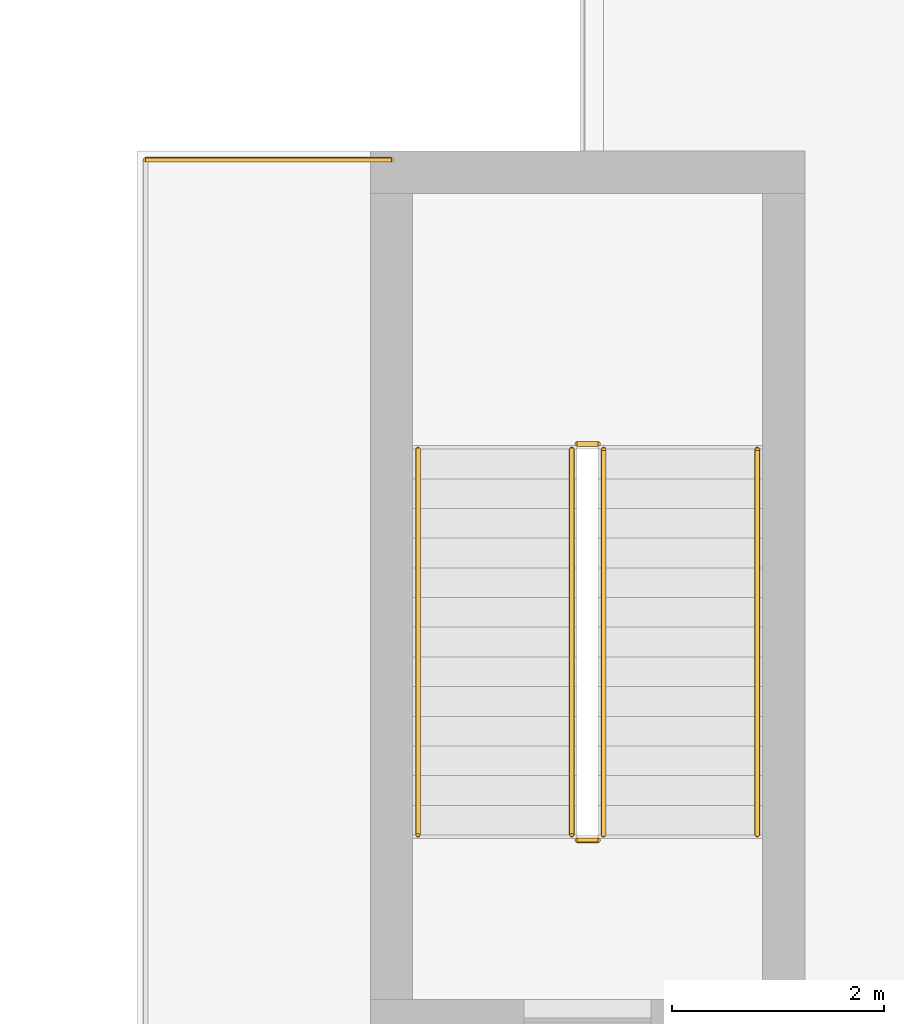
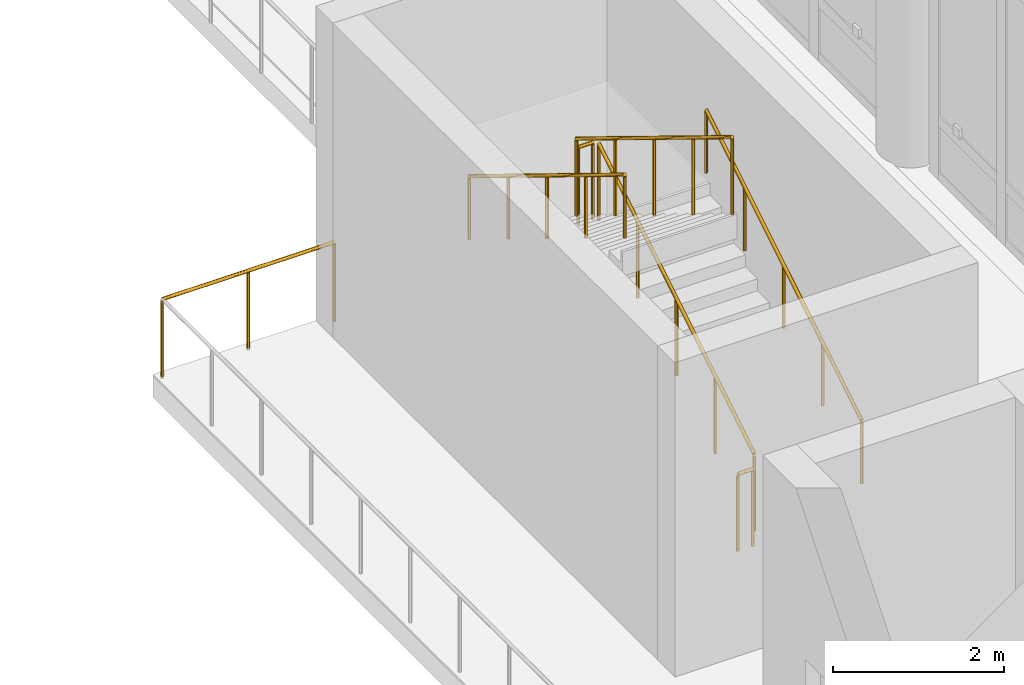
# One storey, part 51 of 57: 7 railings.
"""IFC4 building model written with IfcOpenShell, lengths in metres."""

import ifcopenshell
import ifcopenshell.guid

model = None  # the IFC model being written
_history = None  # IfcOwnerHistory: only IFC2X3 demands one
_inside = {}  # id of a spatial element -> (the spatial element, [elements in it])
_under = {}  # id of a project, library or spatial element -> (it, [spatial elements below it])
_declared = {}  # id of a project -> (the project, [libraries it declares])
_typed = {}  # id of a type object -> (the type object, [elements of that type])
_made_of = {}  # id of a material, layer set ... -> (it, [elements and type objects made of it])


def new_model(schema):
    """Start an empty IFC model of exactly this schema.

    Asked for "IFC4X3", IfcOpenShell would pick the latest addendum, in which some entities
    have other attributes; the version numbers below select the first issue.
    IFC2X3 requires an IfcOwnerHistory on every rooted entity: one is made here for all.
    """
    global model, _history
    if schema == "IFC4X3":
        model = ifcopenshell.file(schema_version=(4, 3, 0, 0))
    else:
        model = ifcopenshell.file(schema=schema)
    _inside.clear()
    _under.clear()
    _declared.clear()
    _typed.clear()
    _made_of.clear()
    _history = None
    if model.schema == "IFC2X3":
        org = make("IfcOrganization", Name="unknown")
        user = make(
            "IfcPersonAndOrganization",
            ThePerson=make("IfcPerson", FamilyName="unknown"),
            TheOrganization=org,
        )
        app = make(
            "IfcApplication",
            ApplicationDeveloper=org,
            Version="unknown",
            ApplicationFullName="unknown",
            ApplicationIdentifier="unknown",
        )
        _history = make(
            "IfcOwnerHistory",
            OwningUser=user,
            OwningApplication=app,
            ChangeAction="ADDED",
            CreationDate=0,
        )
    return model


def make(cls, **values):
    """One entity of the class cls with the attributes given. An attribute that is None is left unset."""
    return model.create_entity(
        cls, **{name: value for name, value in values.items() if value is not None}
    )


def rooted(cls, **values):
    """An entity with a GlobalId (a new one), such as an element, a storey or a relation."""
    return make(cls, GlobalId=ifcopenshell.guid.new(), OwnerHistory=_history, **values)


def si_unit(unit_type, name, prefix=None):
    """IfcSIUnit, for example si_unit("LENGTHUNIT", "METRE", prefix="MILLI")."""
    return make("IfcSIUnit", UnitType=unit_type, Prefix=prefix, Name=name)


def assignment(units):
    """IfcUnitAssignment: the units of a project."""
    return None if units is None else make("IfcUnitAssignment", Units=units)


def point(xyz):
    """IfcCartesianPoint."""
    return None if xyz is None else make("IfcCartesianPoint", Coordinates=xyz)


def direction(xyz):
    """IfcDirection."""
    return None if xyz is None else make("IfcDirection", DirectionRatios=xyz)


def frame(location, z_axis=None, x_axis=None):
    """IfcAxis2Placement3D, a coordinate frame: its origin and axes. An axis left out is left unset."""
    return make(
        "IfcAxis2Placement3D",
        Location=point(location),
        Axis=direction(z_axis),
        RefDirection=direction(x_axis),
    )


def frame_2d(location, x_axis=None):
    """IfcAxis2Placement2D, a coordinate frame in the plane: its origin and x axis."""
    return make(
        "IfcAxis2Placement2D", Location=point(location), RefDirection=direction(x_axis)
    )


def origin():
    """The frame at (0, 0, 0) with its axes left unset."""
    return frame((0.0, 0.0, 0.0))


def origin_2d():
    """The frame at (0, 0) in the plane with its x axis left unset."""
    return frame_2d((0.0, 0.0))


def place(relative_to, where):
    """IfcLocalPlacement: puts the frame where relative to a parent placement (None: the world)."""
    return make(
        "IfcLocalPlacement", PlacementRelTo=relative_to, RelativePlacement=where
    )


def context(
    kind, dimensions, precision=None, world=None, true_north=None, identifier=None
):
    """IfcGeometricRepresentationContext, for example the 3D "Model" context."""
    return make(
        "IfcGeometricRepresentationContext",
        ContextIdentifier=identifier,
        ContextType=kind,
        CoordinateSpaceDimension=dimensions,
        Precision=precision,
        WorldCoordinateSystem=world,
        TrueNorth=true_north,
    )


def subcontext(parent, identifier, kind, view, scale=None):
    """IfcGeometricRepresentationSubContext, for example "Body" below "Model"."""
    return make(
        "IfcGeometricRepresentationSubContext",
        ContextIdentifier=identifier,
        ContextType=kind,
        ParentContext=parent,
        TargetScale=scale,
        TargetView=view,
    )


def project(units=None, contexts=None):
    """IfcProject with its units and contexts."""
    return rooted(
        "IfcProject",
        Name="project",
        RepresentationContexts=contexts,
        UnitsInContext=assignment(units),
    )


def spatial(cls, under=None, at=None, **own):
    """A site, building, storey or space (cls), placed at a placement, below another one or the project."""
    s = rooted(cls, ObjectPlacement=at, **own)
    if under is not None:
        _under.setdefault(under.id(), (under, []))[1].append(s)
    return s


def profile(cls, at=None, kind="AREA", **sizes):
    """A parametric profile (cls). Its sizes go by their IFC names, for example OverallWidth=200.0."""
    return make(cls, ProfileType=kind, Position=at, **sizes)


def circle(**sizes):
    """IfcCircleProfileDef."""
    return profile("IfcCircleProfileDef", **sizes)


def extrude(swept, where, along, depth):
    """IfcExtrudedAreaSolid: the profile swept, set in the frame where, extruded along a direction by depth."""
    return make(
        "IfcExtrudedAreaSolid",
        SweptArea=swept,
        Position=where,
        ExtrudedDirection=direction(along),
        Depth=depth,
    )


def shape(context_of_items, identifier, shape_type, items):
    """IfcShapeRepresentation: the items that make up one representation, for example the "Body"."""
    return make(
        "IfcShapeRepresentation",
        ContextOfItems=context_of_items,
        RepresentationIdentifier=identifier,
        RepresentationType=shape_type,
        Items=items,
    )


def material(Name=None, Category=None):
    """IfcMaterial."""
    return make("IfcMaterial", Name=Name, Category=Category)


def made_of(thing, what):
    """Note that an element or type object is made of a material, layer set ...; save() writes the relation."""
    if what is not None:
        _made_of.setdefault(what.id(), (what, []))[1].append(thing)
    return thing


def type_object(cls, material=None, **own):
    """A type object (cls), such as IfcWallType, which elements share."""
    return made_of(rooted(cls, **own), material)


def element(
    cls,
    number,
    at=None,
    inside=None,
    cuts=None,
    type_object=None,
    material=None,
    context=None,
    identifier="Body",
    shape_type=None,
    held_by="IfcProductDefinitionShape",
    body=None,
    shapes=None,
    **own,
):
    """One element of the class cls, such as IfcWall. Its Tag is "e" and its number.

    at: its placement. inside: the storey or other place that contains it. cuts: it is an
    opening in that element (IfcRelVoidsElement). A single representation is given by context,
    identifier, shape_type and body (its items); several are given by shapes. held_by: the class
    of the entity that holds the representations. save() writes the other relations.
    """
    e = rooted(cls, Tag="e%d" % number, ObjectPlacement=at, **own)
    if body is not None:
        shapes = [shape(context, identifier, shape_type, body)]
    if shapes is not None:
        e.Representation = make(held_by, Representations=shapes)
    if inside is not None:
        _inside.setdefault(inside.id(), (inside, []))[1].append(e)
    if cuts is not None:
        rooted(
            "IfcRelVoidsElement", RelatingBuildingElement=cuts, RelatedOpeningElement=e
        )
    if type_object is not None:
        _typed.setdefault(type_object.id(), (type_object, []))[1].append(e)
    return made_of(e, material)


def aggregate(whole, parts):
    """IfcRelAggregates: a whole, such as a stair, and the parts it consists of."""
    return rooted("IfcRelAggregates", RelatingObject=whole, RelatedObjects=parts)


def save(model, path):
    """Write the relations noted so far, then the file.

    IfcRelAggregates (storeys below a building ...), IfcRelContainedInSpatialStructure (elements
    in a storey), IfcRelDefinesByType, IfcRelAssociatesMaterial and IfcRelDeclares: one each for
    every whole, place, type object, material and project.
    """
    for whole, parts in _under.values():
        aggregate(whole, parts)
    for where, things in _inside.values():
        rooted(
            "IfcRelContainedInSpatialStructure",
            RelatedElements=things,
            RelatingStructure=where,
        )
    for kind, things in _typed.values():
        rooted("IfcRelDefinesByType", RelatedObjects=things, RelatingType=kind)
    for what, things in _made_of.values():
        rooted("IfcRelAssociatesMaterial", RelatedObjects=things, RelatingMaterial=what)
    for by, libraries in _declared.values():
        rooted("IfcRelDeclares", RelatingContext=by, RelatedDefinitions=libraries)
    model.write(path)


model = new_model("IFC4")

# Units and contexts
model_context = context("Model", 3, precision=1e-05, world=origin(), true_north=direction((0.0, 1.0)))
body_context = subcontext(model_context, "Body", "Model", "MODEL_VIEW")
ifc_project = project(units=[si_unit("LENGTHUNIT", "METRE"), si_unit("AREAUNIT", "SQUARE_METRE"), si_unit("VOLUMEUNIT", "CUBIC_METRE"), si_unit("PLANEANGLEUNIT", "RADIAN"), si_unit("MASSUNIT", "GRAM", prefix="KILO")], contexts=[model_context])

# Site, building, storey
site_placement = place(None, origin())
site = spatial("IfcSite", under=ifc_project, at=site_placement, CompositionType="ELEMENT")
building_placement = place(site_placement, origin())
building = spatial("IfcBuilding", under=site, at=building_placement, Name="Qandaris Square Conservatory and Botanical Centre", CompositionType="ELEMENT")
storey_placement = place(building_placement, frame((0.0, 0.0, 5.39990234375)))
storey = spatial("IfcBuildingStorey", under=building, at=storey_placement, Name="L01", CompositionType="ELEMENT", Elevation=5.39990234375)

# Railings
ifc_material_1 = material(Name="Tempered Low-E Glass", Category="glass")
railing_type_1 = type_object("IfcRailingType", Name="Conservatory Skywalk Glazed Balustrade 1150mm", PredefinedType="BALUSTRADE", material=ifc_material_1)
railing_1_placement = place(storey_placement, frame((47.280029296875, 62.52001953125, 0.0)))
element("IfcRailing", 1, at=railing_1_placement, inside=storey, type_object=railing_type_1, Name="Conservatory Skywalk Apron Balustrade 3", PredefinedType="BALUSTRADE", context=body_context, shape_type="SweptSolid", body=[
    extrude(circle(Radius=0.02392578125, at=origin_2d()), frame((0.0, 0.0, 1.1259765625), z_axis=(1.0, 0.0, 0.0), x_axis=(0.0, 1.0, 0.0)), (0.0, 0.0, 1.0), 2.320068359375),
    extrude(circle(Radius=0.02099609375, at=origin_2d()), origin(), (0.0, 0.0, 1.0), 1.101806640625),
    extrude(circle(Radius=0.02099609375, at=origin_2d()), frame((1.16015625, 0.0, 0.0)), (0.0, 0.0, 1.0), 1.101806640625),
    extrude(circle(Radius=0.02099609375, at=origin_2d()), frame((2.320068359375, 0.0, 0.0)), (0.0, 0.0, 1.0), 1.101806640625),
])
ifc_material_2 = material(Name="Stainless Steel", Category="steel")
railing_type_2 = type_object("IfcRailingType", Name="Stair Tubular Handrail 920mm", PredefinedType="HANDRAIL", material=ifc_material_2)
railing_2_placement = place(storey_placement, frame((53.050048828125, 56.14990234375, 0.343017578125)))
element("IfcRailing", 2, at=railing_2_placement, inside=storey, type_object=railing_type_2, Name="L01 ST-5 stair handrail 1", PredefinedType="HANDRAIL", context=body_context, shape_type="SweptSolid", body=[
    extrude(circle(Radius=0.02392578125, at=origin_2d()), frame((0.0, 0.0, 0.89599609375), z_axis=(0.0, 0.852865859571, 0.52213008492), x_axis=(-1.0, 0.0, 0.0)), (0.0, 0.0, 1.0), 4.26806640625),
    extrude(circle(Radius=0.02099609375, at=origin_2d()), origin(), (0.0, 0.0, 1.0), 0.871826171875),
    extrude(circle(Radius=0.02099609375, at=origin_2d()), frame((0.0, 0.91015625, 0.55712890625)), (0.0, 0.0, 1.0), 0.871826171875),
    extrude(circle(Radius=0.02099609375, at=origin_2d()), frame((0.0, 1.820068359375, 1.1142578125)), (0.0, 0.0, 1.0), 0.871826171875),
    extrude(circle(Radius=0.02099609375, at=origin_2d()), frame((0.0, 2.72998046875, 1.67138671875)), (0.0, 0.0, 1.0), 0.871826171875),
    extrude(circle(Radius=0.02099609375, at=origin_2d()), frame((0.0, 3.64013671875, 2.228515625)), (0.0, 0.0, 1.0), 0.871826171875),
])
railing_3_placement = place(storey_placement, frame((49.85009765625, 59.7900390625, 2.742919921875)))
element("IfcRailing", 3, at=railing_3_placement, inside=storey, type_object=railing_type_2, Name="L01 ST-5 stair handrail 2", PredefinedType="HANDRAIL", context=body_context, shape_type="SweptSolid", body=[
    extrude(circle(Radius=0.02392578125, at=origin_2d()), frame((0.0, 0.0, 0.89599609375), z_axis=(0.0, -0.852865859571, 0.52213008492), x_axis=(1.0, 0.0, 0.0)), (0.0, 0.0, 1.0), 4.26806640625),
    extrude(circle(Radius=0.02099609375, at=origin_2d()), origin(), (0.0, 0.0, 1.0), 0.871826171875),
    extrude(circle(Radius=0.02099609375, at=origin_2d()), frame((0.0, -0.91015625, 0.55712890625)), (0.0, 0.0, 1.0), 0.871826171875),
    extrude(circle(Radius=0.02099609375, at=origin_2d()), frame((0.0, -1.820068359375, 1.1142578125)), (0.0, 0.0, 1.0), 0.871826171875),
    extrude(circle(Radius=0.02099609375, at=origin_2d()), frame((0.0, -2.72998046875, 1.67138671875)), (0.0, 0.0, 1.0), 0.871826171875),
    extrude(circle(Radius=0.02099609375, at=origin_2d()), frame((0.0, -3.64013671875, 2.228515625)), (0.0, 0.0, 1.0), 0.871826171875),
])
railing_type_3 = type_object("IfcRailingType", Name="Stairwell & Atrium Guardrail 1120mm", PredefinedType="GUARDRAIL", material=ifc_material_2)
railing_4_placement = place(storey_placement, frame((51.60009765625, 56.14990234375, 0.171630859375)))
element("IfcRailing", 4, at=railing_4_placement, inside=storey, type_object=railing_type_3, Name="L01 ST-5 stair guard 1", PredefinedType="GUARDRAIL", context=body_context, shape_type="SweptSolid", body=[
    extrude(circle(Radius=0.02392578125, at=origin_2d()), frame((0.0, 0.0, 1.09619140625), z_axis=(0.0, 0.852865859571, 0.52213008492), x_axis=(-1.0, 0.0, 0.0)), (0.0, 0.0, 1.0), 4.26806640625),
    extrude(circle(Radius=0.02099609375, at=origin_2d()), origin(), (0.0, 0.0, 1.0), 1.072021484375),
    extrude(circle(Radius=0.02099609375, at=origin_2d()), frame((0.0, 0.91015625, 0.55712890625)), (0.0, 0.0, 1.0), 1.072021484375),
    extrude(circle(Radius=0.02099609375, at=origin_2d()), frame((0.0, 1.820068359375, 1.1142578125)), (0.0, 0.0, 1.0), 1.072021484375),
    extrude(circle(Radius=0.02099609375, at=origin_2d()), frame((0.0, 2.72998046875, 1.67138671875)), (0.0, 0.0, 1.0), 1.072021484375),
    extrude(circle(Radius=0.02099609375, at=origin_2d()), frame((0.0, 3.64013671875, 2.228515625)), (0.0, 0.0, 1.0), 1.072021484375),
])
railing_5_placement = place(storey_placement, frame((51.550048828125, 59.840087890625, 2.400146484375)))
element("IfcRailing", 5, at=railing_5_placement, inside=storey, type_object=railing_type_3, Name="L01 ST-5 stair guard 2", PredefinedType="GUARDRAIL", context=body_context, shape_type="SweptSolid", body=[
    extrude(circle(Radius=0.02392578125, at=origin_2d()), frame((0.0, 0.0, 1.09619140625), z_axis=(-1.0, 0.0, 0.0), x_axis=(0.0, -1.0, 0.0)), (0.0, 0.0, 1.0), 0.199951171875),
    extrude(circle(Radius=0.02099609375, at=origin_2d()), origin(), (0.0, 0.0, 1.0), 1.072021484375),
    extrude(circle(Radius=0.02099609375, at=origin_2d()), frame((-0.199951171875, 0.0, 0.0)), (0.0, 0.0, 1.0), 1.072021484375),
])
railing_6_placement = place(storey_placement, frame((51.300048828125, 59.7900390625, 2.571533203125)))
element("IfcRailing", 6, at=railing_6_placement, inside=storey, type_object=railing_type_3, Name="L01 ST-5 stair guard 3", PredefinedType="GUARDRAIL", context=body_context, shape_type="SweptSolid", body=[
    extrude(circle(Radius=0.02392578125, at=origin_2d()), frame((0.0, 0.0, 1.09619140625), z_axis=(0.0, -0.852865859571, 0.52213008492), x_axis=(1.0, 0.0, 0.0)), (0.0, 0.0, 1.0), 4.26806640625),
    extrude(circle(Radius=0.02099609375, at=origin_2d()), origin(), (0.0, 0.0, 1.0), 1.072021484375),
    extrude(circle(Radius=0.02099609375, at=origin_2d()), frame((0.0, -0.91015625, 0.55712890625)), (0.0, 0.0, 1.0), 1.072021484375),
    extrude(circle(Radius=0.02099609375, at=origin_2d()), frame((0.0, -1.820068359375, 1.1142578125)), (0.0, 0.0, 1.0), 1.072021484375),
    extrude(circle(Radius=0.02099609375, at=origin_2d()), frame((0.0, -2.72998046875, 1.67138671875)), (0.0, 0.0, 1.0), 1.072021484375),
    extrude(circle(Radius=0.02099609375, at=origin_2d()), frame((0.0, -3.64013671875, 2.228515625)), (0.0, 0.0, 1.0), 1.072021484375),
])
railing_7_placement = place(storey_placement, frame((51.550048828125, 56.10009765625, 0.0)))
element("IfcRailing", 7, at=railing_7_placement, inside=storey, type_object=railing_type_3, Name="L01 ST-5 stair guard 4", PredefinedType="GUARDRAIL", context=body_context, shape_type="SweptSolid", body=[
    extrude(circle(Radius=0.02392578125, at=origin_2d()), frame((0.0, 0.0, 1.09619140625), z_axis=(-1.0, 0.0, 0.0), x_axis=(0.0, -1.0, 0.0)), (0.0, 0.0, 1.0), 0.199951171875),
    extrude(circle(Radius=0.02099609375, at=origin_2d()), origin(), (0.0, 0.0, 1.0), 1.072021484375),
    extrude(circle(Radius=0.02099609375, at=origin_2d()), frame((-0.199951171875, 0.0, 0.0)), (0.0, 0.0, 1.0), 1.072021484375),
])

save(model, "model.ifc")
